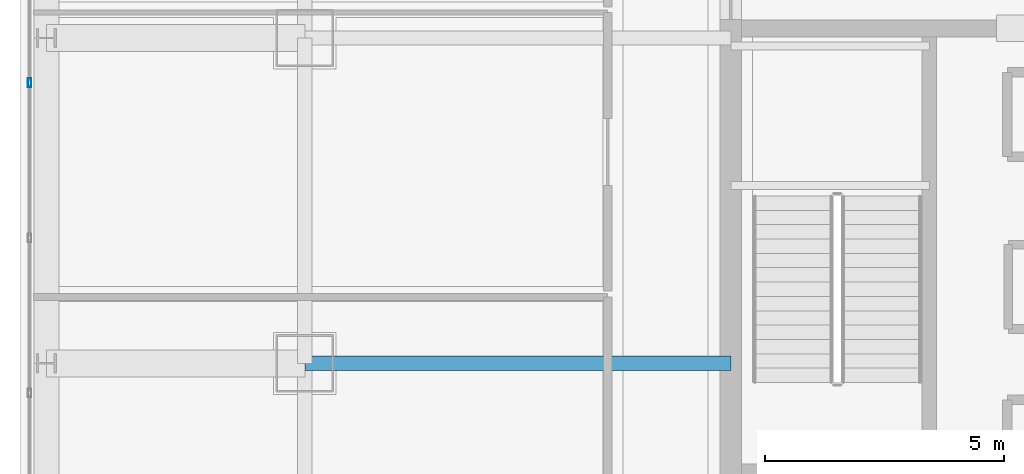
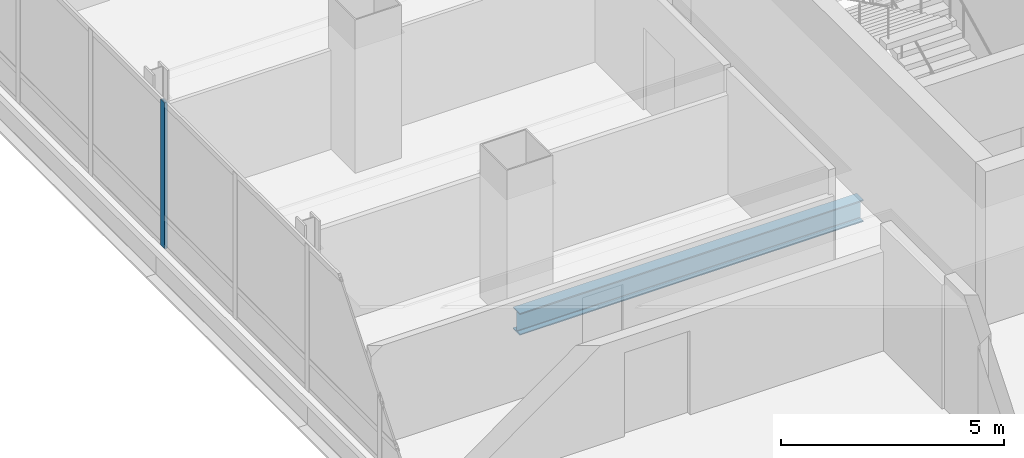
# One storey, part 13 of 42: 1 beam, 1 member, 1 element without a shape of its own.
"""IFC4 building model written with IfcOpenShell, lengths in metres."""

from ifc_helpers import new_model, si_unit, direction, frame, origin, origin_2d, place, context, subcontext, project, spatial, hollow_rectangle, i_section, extrude, material, material_profile, profile_set, type_object, element, aggregate, save


model = new_model("IFC4")

# Units and contexts
model_context = context("Model", 3, precision=1e-05, world=origin(), true_north=direction((0.0, 1.0)))
body_context = subcontext(model_context, "Body", "Model", "MODEL_VIEW")
ifc_project = project(units=[si_unit("LENGTHUNIT", "METRE"), si_unit("AREAUNIT", "SQUARE_METRE"), si_unit("VOLUMEUNIT", "CUBIC_METRE"), si_unit("PLANEANGLEUNIT", "RADIAN"), si_unit("MASSUNIT", "GRAM", prefix="KILO")], contexts=[model_context])

# Site, building, storey
site_placement = place(None, origin())
site = spatial("IfcSite", under=ifc_project, at=site_placement, CompositionType="ELEMENT")
building_placement = place(site_placement, origin())
building = spatial("IfcBuilding", under=site, at=building_placement, Name="Punatoya Terracotta Tower", CompositionType="ELEMENT")
storey_placement = place(building_placement, frame((0.0, 0.0, 325.800048828125)))
storey = spatial("IfcBuildingStorey", under=building, at=storey_placement, Name="L77", CompositionType="ELEMENT", Elevation=325.800048828125)

# Beam
ifc_material_1 = material(Name="Steel S355", Category="steel")
ifc_material_profile_1 = material_profile(ifc_material_1, i_section(OverallWidth=0.300048828125, OverallDepth=0.60009765625, WebThickness=0.015380859375, FlangeThickness=0.030029296875, FilletRadius=0.01806640625, at=origin_2d()))
ifc_profile_set_1 = profile_set([ifc_material_profile_1], Name="Steel S355")
beam_type = type_object("IfcBeamType", Name="BM-PRI-600", PredefinedType="BEAM", material=ifc_profile_set_1)
beam_placement = place(storey_placement, frame((-19.10009765625, -3.39990234375, -0.5), z_axis=(1.0, 0.0, 0.0), x_axis=(0.0, 1.0, 0.0)))
element("IfcBeam", 1, at=beam_placement, inside=storey, type_object=beam_type, Name="BM-L77-PR-WD", PredefinedType="BEAM", context=body_context, shape_type="SweptSolid", body=[
    extrude(i_section(OverallWidth=0.300048828125, OverallDepth=0.60009765625, WebThickness=0.015380859375, FlangeThickness=0.030029296875, FilletRadius=0.01806640625, at=origin_2d()), origin(), (0.0, 0.0, 1.0), 8.900146484375),
])

# Curtain wall, member
ifc_material_2 = material(Name="Aluminium 6063-T6 + Double Low-E Glass", Category="aluminium")
curtain_wall_type = type_object("IfcCurtainWallType", Name="CW-OBS", PredefinedType="NOTDEFINED", material=ifc_material_2)
curtain_wall_placement = place(storey_placement, origin())
curtain_wall = element("IfcCurtainWall", 2, at=curtain_wall_placement, inside=storey, type_object=curtain_wall_type, Name="L77 Curtain Wall CW-L77-W13-1", PredefinedType="NOTDEFINED")
ifc_material_3 = material(Name="Aluminium 6063-T6", Category="aluminium")
ifc_material_profile_2 = material_profile(ifc_material_3, hollow_rectangle(XDim=0.070068359375, YDim=0.179931640625, WallThickness=0.00390625, at=origin_2d()))
ifc_profile_set_2 = profile_set([ifc_material_profile_2], Name="Aluminium 6063-T6")
member_type = type_object("IfcMemberType", Name="CW-MUL-M3", PredefinedType="MULLION", material=ifc_profile_set_2)
member_placement = place(storey_placement, frame((-24.85009765625, 2.464599609375, 0.0), z_axis=(0.0, 0.0, 1.0), x_axis=(1.0, 0.0, 0.0)))
member = element("IfcMember", 3, at=member_placement, type_object=member_type, Name="CW-L77-W13-1 Mullion 04", PredefinedType="MULLION", context=body_context, shape_type="SweptSolid", body=[
    extrude(hollow_rectangle(XDim=0.070068359375, YDim=0.179931640625, WallThickness=0.00390625, at=origin_2d()), origin(), (0.0, 0.0, 1.0), 4.0),
])
aggregate(curtain_wall, [member])

save(model, "model.ifc")
